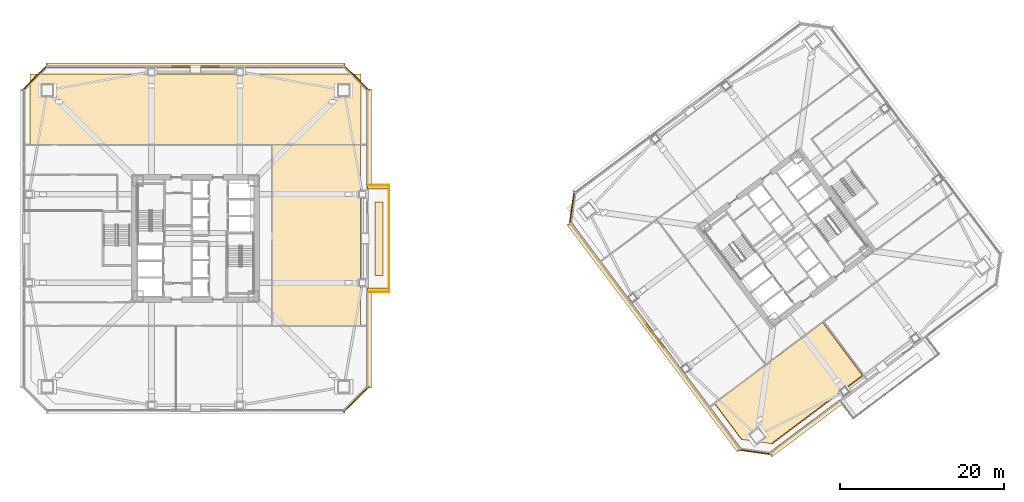
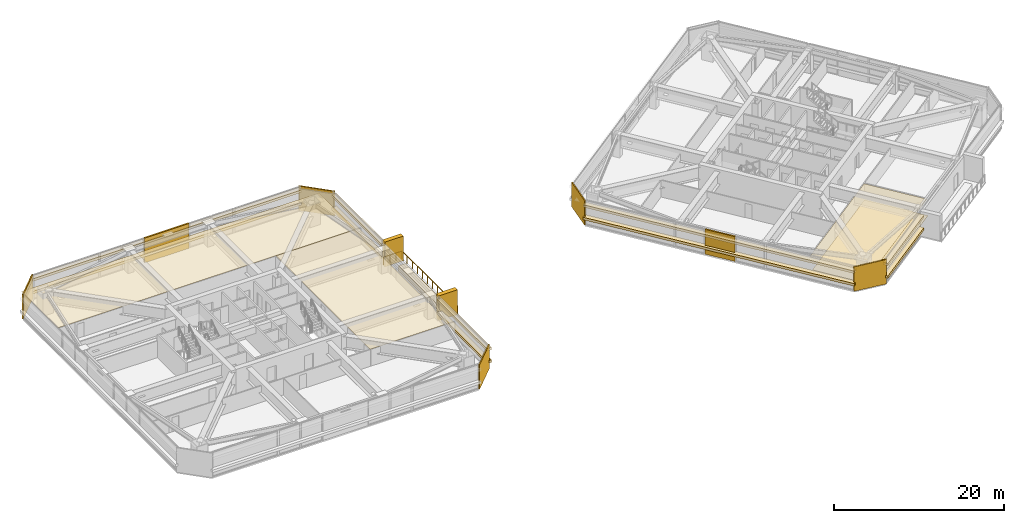
# One storey, part 45 of 49: 24 coverings, 3 railings.
"""IFC4 building model written with IfcOpenShell, lengths in metres."""

from ifc_helpers import new_model, si_unit, direction, frame, origin, origin_2d, place, context, subcontext, project, spatial, polyline, rectangle, outline, extrude, material, layer, layer_set, type_object, element, save


model = new_model("IFC4")

# Units and contexts
model_context = context("Model", 3, precision=1e-05, world=origin(), true_north=direction((0.0, 1.0)))
body_context = subcontext(model_context, "Body", "Model", "MODEL_VIEW")
ifc_project = project(units=[si_unit("LENGTHUNIT", "METRE"), si_unit("AREAUNIT", "SQUARE_METRE"), si_unit("VOLUMEUNIT", "CUBIC_METRE"), si_unit("PLANEANGLEUNIT", "RADIAN"), si_unit("MASSUNIT", "GRAM", prefix="KILO")], contexts=[model_context])

# Site, building, storey
site_placement = place(None, origin())
site = spatial("IfcSite", under=ifc_project, at=site_placement, CompositionType="ELEMENT")
building_placement = place(site_placement, origin())
building = spatial("IfcBuilding", under=site, at=building_placement, Name="Tashvorn Skyway Center", CompositionType="ELEMENT")
storey_placement = place(building_placement, frame((0.0, 0.0, 106.25)))
storey = spatial("IfcBuildingStorey", under=building, at=storey_placement, Name="L28", CompositionType="ELEMENT", Elevation=106.25)

# Coverings
ifc_material_1 = material(Name="Precast concrete C40/50", Category="concrete")
ifc_layer_1 = layer(ifc_material_1, 0.199951171875)
ifc_layer_set_1 = layer_set([ifc_layer_1], Name="Precast concrete C40/50")
covering_type_1 = type_object("IfcCoveringType", Name="COV-BRACE-CLAD", PredefinedType="CLADDING", material=ifc_layer_set_1)
covering_1_placement = place(storey_placement, frame((42.0, 52.97998046875, 0.0), z_axis=(0.0, 0.0, 1.0), x_axis=(1.0, 0.0, 0.0)))
element("IfcCovering", 1, at=covering_1_placement, inside=storey, type_object=covering_type_1, Name="Tower 1 L28 North Unitised Curtain Wall Mega-Brace Cladding Band 1", PredefinedType="CLADDING", context=body_context, shape_type="SweptSolid", body=[
    extrude(rectangle(XDim=6.06005859375, YDim=0.199951171875, at=origin_2d()), origin(), (0.0, 0.0, 1.0), 3.550048828125),
])
covering_2_placement = place(storey_placement, frame((98.095947265625, 20.072021484375, 0.0), z_axis=(0.0, 0.0, 1.0), x_axis=(-0.600000004945, 0.799999996291, 0.0)))
element("IfcCovering", 2, at=covering_2_placement, inside=storey, type_object=covering_type_1, Name="Tower 2 L28 West Unitised Curtain Wall Mega-Brace Cladding Band 1", PredefinedType="CLADDING", context=body_context, shape_type="SweptSolid", body=[
    extrude(rectangle(XDim=3.840087890625, YDim=0.199951171875, at=origin_2d()), origin(), (0.0, 0.0, 1.0), 3.550048828125),
])
ifc_material_2 = material(Name="Mineral-fibre acoustic ceiling tile on suspended grid")
ifc_layer_2 = layer(ifc_material_2, 0.02001953125)
ifc_layer_set_2 = layer_set([ifc_layer_2], Name="Mineral-fibre acoustic ceiling tile on suspended grid")
covering_type_2 = type_object("IfcCoveringType", Name="COV-CEIL-20", PredefinedType="CEILING", material=ifc_layer_set_2)
covering_3_placement = place(storey_placement, frame((0.0, 0.0, 2.373046875)))
element("IfcCovering", 3, at=covering_3_placement, inside=storey, type_object=covering_type_2, Name="Tower 1 L28 Operations Control Room Acoustic Ceiling", PredefinedType="CEILING", context=body_context, shape_type="SweptSolid", body=[
    extrude(outline(polyline([(21.800048828125, 43.469970703125), (62.199951171875, 43.469970703125), (62.199951171875, 52.10009765625), (21.800048828125, 52.10009765625), (21.800048828125, 43.469970703125)])), origin(), (0.0, 0.0, 1.0), 0.02001953125),
])
covering_4_placement = place(storey_placement, frame((0.0, 0.0, 2.373046875)))
element("IfcCovering", 4, at=covering_4_placement, inside=storey, type_object=covering_type_2, Name="Tower 1 L28 Wellness Clinic Acoustic Ceiling", PredefinedType="CEILING", context=body_context, shape_type="SweptSolid", body=[
    extrude(outline(polyline([(51.35009765625, 21.35009765625), (62.10009765625, 21.35009765625), (62.10009765625, 43.469970703125), (51.35009765625, 43.469970703125), (51.35009765625, 21.35009765625)])), origin(), (0.0, 0.0, 1.0), 0.02001953125),
])
covering_5_placement = place(storey_placement, frame((0.0, 0.0, 2.373046875)))
element("IfcCovering", 5, at=covering_5_placement, inside=storey, type_object=covering_type_2, Name="Tower 2 L28 Operations Control Room Acoustic Ceiling", PredefinedType="CEILING", context=body_context, shape_type="SweptSolid", body=[
    extrude(outline(polyline([(105.3798828125, 11.860107421875), (118.548095703125, 21.736083984375), (123.3720703125, 15.303955078125), (112.251953125, 6.964111328125), (108.66796875, 7.47607421875), (105.3798828125, 11.860107421875)])), origin(), (0.0, 0.0, 1.0), 0.02001953125),
])
ifc_material_3 = material(Name="Polished Mojave desert-aggregate terrazzo and cover plate")
ifc_layer_3 = layer(ifc_material_3, 0.0400390625)
ifc_layer_set_3 = layer_set([ifc_layer_3], Name="Polished Mojave desert-aggregate terrazzo and cover plate")
covering_type_3 = type_object("IfcCoveringType", Name="COV-FLR-40", PredefinedType="FLOORING", material=ifc_layer_set_3)
covering_6_placement = place(storey_placement, origin())
element("IfcCovering", 6, at=covering_6_placement, inside=storey, type_object=covering_type_3, Name="Tower 2 L28 Operations Control Room Finish Flooring", PredefinedType="FLOORING", context=body_context, shape_type="SweptSolid", body=[
    extrude(outline(polyline([(112.419921875, 6.93994140625), (108.612060546875, 7.48388671875), (105.3720703125, 11.803955078125), (118.60400390625, 21.72802734375), (123.47607421875, 15.23193359375), (112.419921875, 6.93994140625)])), origin(), (0.0, 0.0, 1.0), 0.0400390625),
])
ifc_material_4 = material(Name="Perforated ceramic-coated bronze aluminium solar screen", Category="aluminium")
ifc_layer_4 = layer(ifc_material_4, 0.85009765625)
ifc_layer_set_4 = layer_set([ifc_layer_4], Name="Perforated ceramic-coated bronze aluminium solar screen")
covering_type_4 = type_object("IfcCoveringType", Name="COV-SOLAR-BAND", PredefinedType="CLADDING", material=ifc_layer_set_4)
for number, where, z_axis, x_axis, name in (
    (7, (42.0, 53.1201171875, 0.919921875), (0.0, 0.0, 1.0), (1.0, 0.0, 0.0), "L28 Perforated Ceramic-Metal Solar Screen Louvre Band North 1"),
    (8, (42.0, 53.1201171875, 2.7197265625), (0.0, 0.0, 1.0), (1.0, 0.0, 0.0), "L28 Perforated Ceramic-Metal Solar Screen Louvre Band North 2"),
):
    element("IfcCovering", number, at=place(storey_placement, frame(where, z_axis=z_axis, x_axis=x_axis)), inside=storey, type_object=covering_type_4, Name=name, PredefinedType="CLADDING", context=body_context, shape_type="SweptSolid", body=[
        extrude(rectangle(XDim=36.47998046875, YDim=0.639892578125, at=origin_2d()), origin(), (0.0, 0.0, 1.0), 0.360107421875),
    ])
for number, where, z_axis, x_axis, name in (
    (9, (63.1201171875, 44.389892578125, 0.919921875), (0.0, 0.0, 1.0), (0.0, -1.0, 0.0), "L28 Perforated Ceramic-Metal Solar Screen Louvre Band East 1"),
    (10, (63.1201171875, 44.389892578125, 2.7197265625), (0.0, 0.0, 1.0), (0.0, -1.0, 0.0), "L28 Perforated Ceramic-Metal Solar Screen Louvre Band East 2"),
    (11, (63.1201171875, 19.610107421875, 0.919921875), (0.0, 0.0, 1.0), (0.0, -1.0, 0.0), "L28 Perforated Ceramic-Metal Solar Screen Louvre Band East 1"),
    (12, (63.1201171875, 19.610107421875, 2.7197265625), (0.0, 0.0, 1.0), (0.0, -1.0, 0.0), "L28 Perforated Ceramic-Metal Solar Screen Louvre Band East 2"),
):
    element("IfcCovering", number, at=place(storey_placement, frame(where, z_axis=z_axis, x_axis=x_axis)), inside=storey, type_object=covering_type_4, Name=name, PredefinedType="CLADDING", context=body_context, shape_type="SweptSolid", body=[
        extrude(rectangle(XDim=11.699951171875, YDim=0.639892578125, at=origin_2d()), origin(), (0.0, 0.0, 1.0), 0.360107421875),
    ])
for number, where, z_axis, x_axis, name in (
    (13, (116.4599609375, 8.820068359375, 0.919921875), (0.0, 0.0, 1.0), (-0.799999996291, -0.600000004945, 0.0), "L28 Perforated Ceramic-Metal Solar Screen Louvre Band South 1"),
    (14, (116.4599609375, 8.820068359375, 2.7197265625), (0.0, 0.0, 1.0), (-0.799999996291, -0.600000004945, 0.0), "L28 Perforated Ceramic-Metal Solar Screen Louvre Band South 2"),
):
    element("IfcCovering", number, at=place(storey_placement, frame(where, z_axis=z_axis, x_axis=x_axis)), inside=storey, type_object=covering_type_4, Name=name, PredefinedType="CLADDING", context=body_context, shape_type="SweptSolid", body=[
        extrude(rectangle(XDim=10.800048828125, YDim=0.639892578125, at=origin_2d()), origin(), (0.0, 0.0, 1.0), 0.360107421875),
    ])
for number, where, z_axis, x_axis, name in (
    (15, (97.98388671875, 19.988037109375, 0.919921875), (0.0, 0.0, 1.0), (-0.600000004945, 0.799999996291, 0.0), "L28 Perforated Ceramic-Metal Solar Screen Louvre Band West 1"),
    (16, (97.98388671875, 19.988037109375, 2.7197265625), (0.0, 0.0, 1.0), (-0.600000004945, 0.799999996291, 0.0), "L28 Perforated Ceramic-Metal Solar Screen Louvre Band West 2"),
):
    element("IfcCovering", number, at=place(storey_placement, frame(where, z_axis=z_axis, x_axis=x_axis)), inside=storey, type_object=covering_type_4, Name=name, PredefinedType="CLADDING", context=body_context, shape_type="SweptSolid", body=[
        extrude(rectangle(XDim=34.679931640625, YDim=0.639892578125, at=origin_2d()), origin(), (0.0, 0.0, 1.0), 0.360107421875),
    ])
ifc_layer_5 = layer(ifc_material_1, 0.35009765625)
ifc_layer_set_5 = layer_set([ifc_layer_5], Name="Precast concrete C40/50")
covering_type_5 = type_object("IfcCoveringType", Name="COV-STONE-TRIM", PredefinedType="CLADDING", material=ifc_layer_set_5)
for number, where, z_axis, x_axis, name in (
    (17, (64.25, 38.35009765625, 0.0), (0.0, 0.0, 1.0), (0.0, -1.0, 0.0), "Tower 1 L28 Sky Garden Loggia Pier L"),
    (18, (64.25, 25.64990234375, 0.0), (0.0, 0.0, 1.0), (0.0, -1.0, 0.0), "Tower 1 L28 Sky Garden Loggia Pier R"),
):
    element("IfcCovering", number, at=place(storey_placement, frame(where, z_axis=z_axis, x_axis=x_axis)), inside=storey, type_object=covering_type_5, Name=name, PredefinedType="CLADDING", context=body_context, shape_type="SweptSolid", body=[
        extrude(rectangle(XDim=0.580078125, YDim=2.5, at=origin_2d()), origin(), (0.0, 0.0, 1.0), 3.550048828125),
    ])
covering_7_placement = place(storey_placement, frame((64.39990234375, 32.0, 0.0), z_axis=(0.0, 0.0, 1.0), x_axis=(0.0, -1.0, 0.0)))
element("IfcCovering", 19, at=covering_7_placement, inside=storey, type_object=covering_type_5, Name="Tower 1 L28 Sky Garden Stone Planter Bed", PredefinedType="CLADDING", context=body_context, shape_type="SweptSolid", body=[
    extrude(rectangle(XDim=8.97607421875, YDim=0.949951171875, at=origin_2d()), origin(), (0.0, 0.0, 1.0), 0.800048828125),
])
for number, where, z_axis, x_axis, name in (
    (20, (22.3798828125, 51.6201171875, 0.02001953125), (0.0, 0.0, 1.0), (-0.707106781187, -0.707106781187, 0.0), "Tower 1 L28 NW Mojave Limestone Corner Quoin"),
    (21, (61.6201171875, 51.6201171875, 0.02001953125), (0.0, 0.0, 1.0), (0.707106781187, -0.707106781187, 0.0), "Tower 1 L28 NE Mojave Limestone Corner Quoin"),
    (22, (61.6201171875, 12.3798828125, 0.02001953125), (0.0, 0.0, 1.0), (0.707106781187, 0.707106781187, 0.0), "Tower 1 L28 SE Mojave Limestone Corner Quoin"),
):
    element("IfcCovering", number, at=place(storey_placement, frame(where, z_axis=z_axis, x_axis=x_axis)), inside=storey, type_object=covering_type_5, Name=name, PredefinedType="CLADDING", context=body_context, shape_type="SweptSolid", body=[
        extrude(rectangle(XDim=4.402587890625, YDim=0.139892578125, at=origin_2d()), origin(), (0.0, 0.0, 1.0), 3.510009765625),
    ])
for number, where, z_axis, x_axis, name in (
    (23, (110.27587890625, 5.931884765625, 0.02001953125), (0.0, 0.0, 1.0), (-0.989949494535, 0.141421350118, 0.0), "Tower 2 L28 SW Mojave Limestone Corner Quoin"),
    (24, (87.931884765625, 35.72412109375, 0.02001953125), (0.0, 0.0, 1.0), (-0.141421350118, -0.989949494535, 0.0), "Tower 2 L28 NW Mojave Limestone Corner Quoin"),
):
    element("IfcCovering", number, at=place(storey_placement, frame(where, z_axis=z_axis, x_axis=x_axis)), inside=storey, type_object=covering_type_5, Name=name, PredefinedType="CLADDING", context=body_context, shape_type="SweptSolid", body=[
        extrude(rectangle(XDim=4.119873046875, YDim=0.139892578125, at=origin_2d()), origin(), (0.0, 0.0, 1.0), 3.510009765625),
    ])

# Railings
ifc_material_5 = material(Name="Galvanized steel S355", Category="steel")
railing_type = type_object("IfcRailingType", Name="RAIL-GUARD-1120", PredefinedType="GUARDRAIL", material=ifc_material_5)
railing_1_placement = place(storey_placement, frame((63.10009765625, 25.47998046875, 0.0)))
element("IfcRailing", 25, at=railing_1_placement, inside=storey, type_object=railing_type, Name="L28 Tower 1 Terrace Guardrail 01", PredefinedType="GUARDRAIL", context=body_context, shape_type="SweptSolid", body=[
    extrude(rectangle(XDim=0.048095703125, YDim=0.048095703125, at=origin_2d()), frame((0.0, 0.0, 1.09619140625), z_axis=(1.0, 0.0, 0.0), x_axis=(0.0, 1.0, 0.0)), (0.0, 0.0, 1.0), 2.52001953125),
    extrude(rectangle(XDim=0.0419921875, YDim=0.0419921875, at=origin_2d()), origin(), (0.0, 0.0, 1.0), 1.072021484375),
    extrude(rectangle(XDim=0.0419921875, YDim=0.0419921875, at=origin_2d()), frame((0.840087890625, 0.0, 0.0)), (0.0, 0.0, 1.0), 1.072021484375),
    extrude(rectangle(XDim=0.0419921875, YDim=0.0419921875, at=origin_2d()), frame((1.679931640625, 0.0, 0.0)), (0.0, 0.0, 1.0), 1.072021484375),
    extrude(rectangle(XDim=0.0419921875, YDim=0.0419921875, at=origin_2d()), frame((2.52001953125, 0.0, 0.0)), (0.0, 0.0, 1.0), 1.072021484375),
])
railing_2_placement = place(storey_placement, frame((65.6201171875, 25.47998046875, 0.0)))
element("IfcRailing", 26, at=railing_2_placement, inside=storey, type_object=railing_type, Name="L28 Tower 1 Terrace Guardrail 02", PredefinedType="GUARDRAIL", context=body_context, shape_type="SweptSolid", body=[
    extrude(rectangle(XDim=0.048095703125, YDim=0.048095703125, at=origin_2d()), frame((0.0, 0.0, 1.09619140625), z_axis=(0.0, 1.0, 0.0), x_axis=(-1.0, 0.0, 0.0)), (0.0, 0.0, 1.0), 13.0400390625),
    extrude(rectangle(XDim=0.0419921875, YDim=0.0419921875, at=origin_2d()), origin(), (0.0, 0.0, 1.0), 1.072021484375),
    extrude(rectangle(XDim=0.0419921875, YDim=0.0419921875, at=origin_2d()), frame((0.0, 1.185546875, 0.0)), (0.0, 0.0, 1.0), 1.072021484375),
    extrude(rectangle(XDim=0.0419921875, YDim=0.0419921875, at=origin_2d()), frame((0.0, 2.370849609375, 0.0)), (0.0, 0.0, 1.0), 1.072021484375),
    extrude(rectangle(XDim=0.0419921875, YDim=0.0419921875, at=origin_2d()), frame((0.0, 3.556396484375, 0.0)), (0.0, 0.0, 1.0), 1.072021484375),
    extrude(rectangle(XDim=0.0419921875, YDim=0.0419921875, at=origin_2d()), frame((0.0, 4.741943359375, 0.0)), (0.0, 0.0, 1.0), 1.072021484375),
    extrude(rectangle(XDim=0.0419921875, YDim=0.0419921875, at=origin_2d()), frame((0.0, 5.92724609375, 0.0)), (0.0, 0.0, 1.0), 1.072021484375),
    extrude(rectangle(XDim=0.0419921875, YDim=0.0419921875, at=origin_2d()), frame((0.0, 7.11279296875, 0.0)), (0.0, 0.0, 1.0), 1.072021484375),
    extrude(rectangle(XDim=0.0419921875, YDim=0.0419921875, at=origin_2d()), frame((0.0, 8.298095703125, 0.0)), (0.0, 0.0, 1.0), 1.072021484375),
    extrude(rectangle(XDim=0.0419921875, YDim=0.0419921875, at=origin_2d()), frame((0.0, 9.483642578125, 0.0)), (0.0, 0.0, 1.0), 1.072021484375),
    extrude(rectangle(XDim=0.0419921875, YDim=0.0419921875, at=origin_2d()), frame((0.0, 10.669189453125, 0.0)), (0.0, 0.0, 1.0), 1.072021484375),
    extrude(rectangle(XDim=0.0419921875, YDim=0.0419921875, at=origin_2d()), frame((0.0, 11.8544921875, 0.0)), (0.0, 0.0, 1.0), 1.072021484375),
    extrude(rectangle(XDim=0.0419921875, YDim=0.0419921875, at=origin_2d()), frame((0.0, 13.0400390625, 0.0)), (0.0, 0.0, 1.0), 1.072021484375),
])
railing_3_placement = place(storey_placement, frame((65.6201171875, 38.52001953125, 0.0)))
element("IfcRailing", 27, at=railing_3_placement, inside=storey, type_object=railing_type, Name="L28 Tower 1 Terrace Guardrail 03", PredefinedType="GUARDRAIL", context=body_context, shape_type="SweptSolid", body=[
    extrude(rectangle(XDim=0.048095703125, YDim=0.048095703125, at=origin_2d()), frame((0.0, 0.0, 1.09619140625), z_axis=(-1.0, 0.0, 0.0), x_axis=(0.0, -1.0, 0.0)), (0.0, 0.0, 1.0), 2.52001953125),
    extrude(rectangle(XDim=0.0419921875, YDim=0.0419921875, at=origin_2d()), origin(), (0.0, 0.0, 1.0), 1.072021484375),
    extrude(rectangle(XDim=0.0419921875, YDim=0.0419921875, at=origin_2d()), frame((-0.840087890625, 0.0, 0.0)), (0.0, 0.0, 1.0), 1.072021484375),
    extrude(rectangle(XDim=0.0419921875, YDim=0.0419921875, at=origin_2d()), frame((-1.679931640625, 0.0, 0.0)), (0.0, 0.0, 1.0), 1.072021484375),
    extrude(rectangle(XDim=0.0419921875, YDim=0.0419921875, at=origin_2d()), frame((-2.52001953125, 0.0, 0.0)), (0.0, 0.0, 1.0), 1.072021484375),
])

save(model, "model.ifc")
